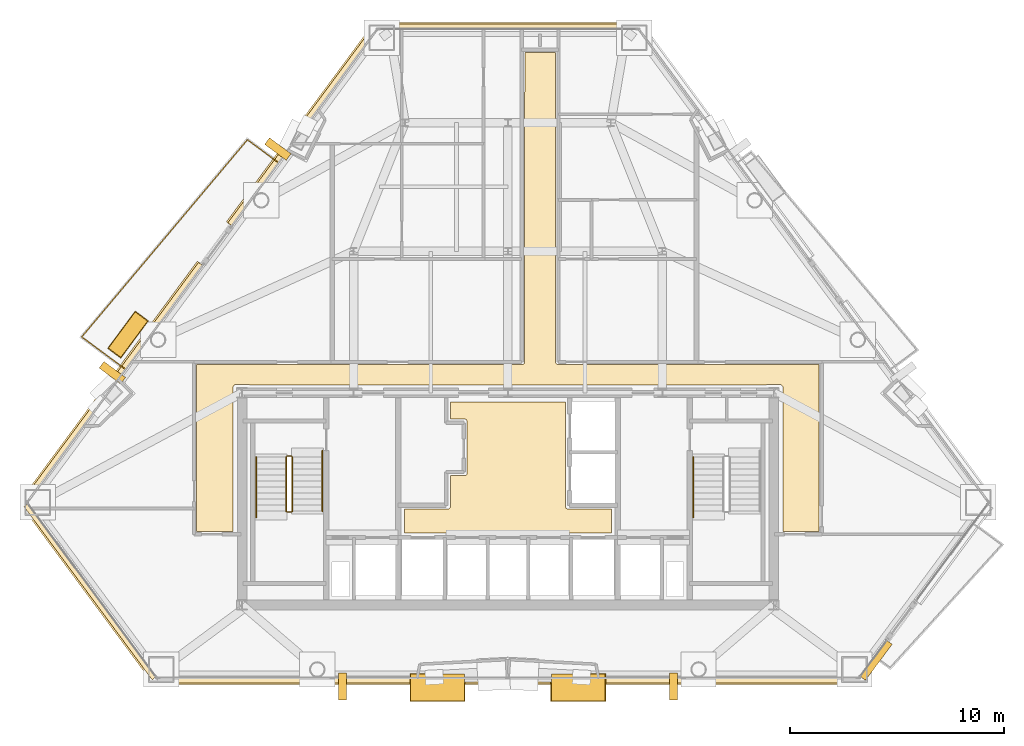
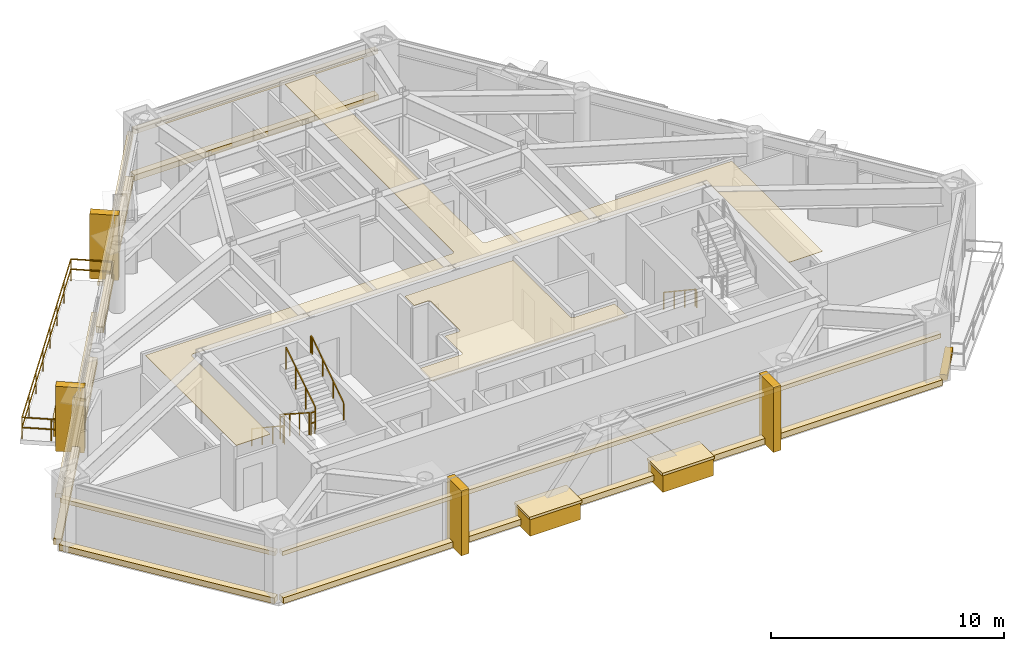
# One storey, part 10 of 11: 23 coverings, 8 railings.
"""IFC4 building model written with IfcOpenShell, lengths in metres."""

from ifc_helpers import new_model, si_unit, direction, frame, origin, origin_2d, place, context, subcontext, project, spatial, polyline, rectangle, outline, extrude, material, layer, layer_set, type_object, element, save


model = new_model("IFC4")

# Units and contexts
model_context = context("Model", 3, precision=1e-05, world=origin(), true_north=direction((0.0, 1.0)))
body_context = subcontext(model_context, "Body", "Model", "MODEL_VIEW")
ifc_project = project(units=[si_unit("LENGTHUNIT", "METRE"), si_unit("AREAUNIT", "SQUARE_METRE"), si_unit("VOLUMEUNIT", "CUBIC_METRE"), si_unit("PLANEANGLEUNIT", "RADIAN"), si_unit("MASSUNIT", "GRAM", prefix="KILO")], contexts=[model_context])

# Site, building, storey
site_placement = place(None, origin())
site = spatial("IfcSite", under=ifc_project, at=site_placement, CompositionType="ELEMENT")
building_placement = place(site_placement, origin())
building = spatial("IfcBuilding", under=site, at=building_placement, Name="Talgorran Terracotta Tower", CompositionType="ELEMENT")
storey_placement = place(building_placement, frame((0.0, 0.0, 110.39990234375)))
storey = spatial("IfcBuildingStorey", under=building, at=storey_placement, Name="L28", CompositionType="ELEMENT", Elevation=110.39990234375)

# Coverings
ifc_material_1 = material(Name="Kiln-Fired Terracotta Ochre Ceramic", Category="masonry")
ifc_layer_1 = layer(ifc_material_1, 0.179931640625, Name="COV_BAGUETTE_TERRACOTTA_SCREEN")
ifc_layer_set_1 = layer_set([ifc_layer_1], Name="Kiln-Fired Terracotta Ochre Ceramic")
covering_type_1 = type_object("IfcCoveringType", Name="COV_BAGUETTE_TERRACOTTA_SCREEN", PredefinedType="CLADDING", material=ifc_layer_set_1)
covering_1_placement = place(storey_placement, frame((-19.480712890625, -13.47119140625, 2.41015625), z_axis=(0.0, 0.0, 1.0), x_axis=(0.594906963183, -0.803794566513, 0.0)))
element("IfcCovering", 1, at=covering_1_placement, inside=storey, type_object=covering_type_1, Name="L28 Terracotta Baguette Solar Screen Assembly F0", PredefinedType="CLADDING", context=body_context, shape_type="SweptSolid", body=[
    extrude(rectangle(XDim=10.052001953125, YDim=0.260009765625, at=origin_2d()), origin(), (0.0, 0.0, 1.0), 0.219970703125),
])
covering_2_placement = place(storey_placement, frame((0.0, -17.60791015625, 2.41015625), z_axis=(0.0, 0.0, 1.0), x_axis=(1.0, 0.0, 0.0)))
element("IfcCovering", 2, at=covering_2_placement, inside=storey, type_object=covering_type_1, Name="L28 Terracotta Baguette Solar Screen Assembly F1", PredefinedType="CLADDING", context=body_context, shape_type="SweptSolid", body=[
    extrude(rectangle(XDim=32.59716796875, YDim=0.260009765625, at=origin_2d()), origin(), (0.0, 0.0, 1.0), 0.219970703125),
])
covering_3_placement = place(storey_placement, frame((0.0, 12.8623046875, 2.41015625), z_axis=(0.0, 0.0, 1.0), x_axis=(-1.0, 0.0, 0.0)))
element("IfcCovering", 3, at=covering_3_placement, inside=storey, type_object=covering_type_1, Name="L28 Terracotta Baguette Solar Screen Assembly F4", PredefinedType="CLADDING", context=body_context, shape_type="SweptSolid", body=[
    extrude(rectangle(XDim=12.043212890625, YDim=0.260009765625, at=origin_2d()), origin(), (0.0, 0.0, 1.0), 0.219970703125),
])
covering_4_placement = place(storey_placement, frame((-9.59814453125, 8.1923828125, 2.41015625), z_axis=(0.0, 0.0, 1.0), x_axis=(-0.594906963183, -0.803794566513, 0.0)))
element("IfcCovering", 4, at=covering_4_placement, inside=storey, type_object=covering_type_1, Name="L28 Terracotta Baguette Solar Screen Assembly F60", PredefinedType="CLADDING", context=body_context, shape_type="SweptSolid", body=[
    extrude(rectangle(XDim=11.298583984375, YDim=0.260009765625, at=origin_2d()), origin(), (0.0, 0.0, 1.0), 0.219970703125),
])
covering_5_placement = place(storey_placement, frame((-18.386962890625, -3.682373046875, 2.41015625), z_axis=(0.0, 0.0, 1.0), x_axis=(-0.594906963183, -0.803794566513, 0.0)))
element("IfcCovering", 5, at=covering_5_placement, inside=storey, type_object=covering_type_1, Name="L28 Terracotta Baguette Solar Screen Assembly F61", PredefinedType="CLADDING", context=body_context, shape_type="SweptSolid", body=[
    extrude(rectangle(XDim=13.6484375, YDim=0.260009765625, at=origin_2d()), origin(), (0.0, 0.0, 1.0), 0.219970703125),
])
ifc_material_2 = material(Name="Mineral Fibre Acoustic Tile")
ifc_layer_2 = layer(ifc_material_2, 0.02490234375, Name="COV_CEIL_ACOUSTIC")
ifc_layer_set_2 = layer_set([ifc_layer_2], Name="Mineral Fibre Acoustic Tile")
covering_type_2 = type_object("IfcCoveringType", Name="COV_CEIL_ACOUSTIC", PredefinedType="CEILING", material=ifc_layer_set_2)
covering_6_placement = place(storey_placement, frame((0.0, 0.0, 3.260009765625)))
element("IfcCovering", 6, at=covering_6_placement, inside=storey, type_object=covering_type_2, Name="CEIL-L28-2", PredefinedType="CEILING", context=body_context, shape_type="SweptSolid", body=[
    extrude(outline(polyline([(-12.788818359375, -3.878662109375), (-12.79296875, -3.882568359375), (-12.80078125, -3.89111328125), (-12.806396484375, -3.89794921875), (-12.813720703125, -3.907470703125), (-12.819580078125, -3.91748046875), (-12.82470703125, -3.92822265625), (-12.82861328125, -3.939453125), (-12.83154296875, -3.95068359375), (-12.833251953125, -3.96240234375), (-12.833984375, -3.974365234375), (-12.8349609375, -10.6650390625), (-14.514892578125, -10.6650390625), (-14.514892578125, -2.885009765625), (0.64990234375, -2.885009765625), (0.66162109375, -2.884521484375), (0.67333984375, -2.8828125), (0.6845703125, -2.8798828125), (0.69287109375, -2.87744140625), (0.7041015625, -2.87353515625), (0.714599609375, -2.868408203125), (0.724853515625, -2.8623046875), (0.734375, -2.85546875), (0.742919921875, -2.847412109375), (0.7509765625, -2.8388671875), (0.756591796875, -2.83203125), (0.763671875, -2.822509765625), (0.769775390625, -2.8125), (0.774658203125, -2.8017578125), (0.77880859375, -2.79052734375), (0.781494140625, -2.779296875), (0.783203125, -2.767578125), (0.783935546875, -2.755615234375), (0.784912109375, 11.6650390625), (2.215087890625, 11.6650390625), (2.215087890625, -2.75), (2.215576171875, -2.76171875), (2.21728515625, -2.773193359375), (2.22021484375, -2.78466796875), (2.22265625, -2.79296875), (2.2265625, -2.803955078125), (2.231689453125, -2.814697265625), (2.237548828125, -2.82470703125), (2.24462890625, -2.834228515625), (2.25244140625, -2.843017578125), (2.26123046875, -2.850830078125), (2.26806640625, -2.8564453125), (2.277587890625, -2.863525390625), (2.28759765625, -2.86962890625), (2.29833984375, -2.874755859375), (2.309326171875, -2.878662109375), (2.32080078125, -2.881591796875), (2.33251953125, -2.88330078125), (2.34423828125, -2.8837890625), (14.514892578125, -2.885009765625), (14.514892578125, -10.6650390625), (12.8349609375, -10.6650390625), (12.834716796875, -3.97705078125), (12.833984375, -3.96533203125), (12.83251953125, -3.953857421875), (12.82958984375, -3.9423828125), (12.82568359375, -3.931396484375), (12.820556640625, -3.920654296875), (12.81640625, -3.9130859375), (12.810302734375, -3.90283203125), (12.803466796875, -3.893310546875), (12.79541015625, -3.884521484375), (12.78857421875, -3.87841796875), (12.785888671875, -3.872314453125), (12.77978515625, -3.8623046875), (12.772705078125, -3.852783203125), (12.764892578125, -3.843994140625), (12.756103515625, -3.836181640625), (12.74658203125, -3.8291015625), (12.736572265625, -3.8232421875), (12.725830078125, -3.818115234375), (12.71484375, -3.814208984375), (12.703369140625, -3.811279296875), (12.69189453125, -3.8095703125), (12.679931640625, -3.80908203125), (12.1201171875, -3.80908203125), (12.108154296875, -3.8095703125), (12.0966796875, -3.811279296875), (12.085205078125, -3.814208984375), (12.07421875, -3.818115234375), (12.0634765625, -3.8232421875), (12.05322265625, -3.8291015625), (12.0439453125, -3.836181640625), (12.03515625, -3.843994140625), (12.034423828125, -3.844970703125), (7.432861328125, -3.844970703125), (6.968017578125, -3.843017578125), (6.967529296875, -3.843017578125), (0.232666015625, -3.844970703125), (-0.23193359375, -3.843017578125), (-0.232421875, -3.843017578125), (-6.96728515625, -3.844970703125), (-7.431884765625, -3.843017578125), (-7.4326171875, -3.843017578125), (-12.034423828125, -3.844970703125), (-12.03515625, -3.843994140625), (-12.0439453125, -3.836181640625), (-12.05322265625, -3.8291015625), (-12.0634765625, -3.8232421875), (-12.07421875, -3.818115234375), (-12.085205078125, -3.814208984375), (-12.0966796875, -3.811279296875), (-12.108154296875, -3.8095703125), (-12.1201171875, -3.80908203125), (-12.679931640625, -3.80908203125), (-12.69189453125, -3.8095703125), (-12.703369140625, -3.811279296875), (-12.71484375, -3.814208984375), (-12.725830078125, -3.818115234375), (-12.736572265625, -3.8232421875), (-12.74658203125, -3.8291015625), (-12.756103515625, -3.836181640625), (-12.764892578125, -3.843994140625), (-12.772705078125, -3.852783203125), (-12.77978515625, -3.8623046875), (-12.785888671875, -3.872314453125), (-12.788818359375, -3.878662109375)])), origin(), (0.0, 0.0, 1.0), 0.02001953125),
])
ifc_material_3 = material(Name="Flush Moisture-Resistant Plaster")
ifc_layer_3 = layer(ifc_material_3, 0.01806640625, Name="COV_CEIL_PLASTER")
ifc_layer_set_3 = layer_set([ifc_layer_3], Name="Flush Moisture-Resistant Plaster")
covering_type_3 = type_object("IfcCoveringType", Name="COV_CEIL_PLASTER", PredefinedType="CEILING", material=ifc_layer_set_3)
covering_7_placement = place(storey_placement, frame((0.0, 0.0, 3.260009765625)))
element("IfcCovering", 7, at=covering_7_placement, inside=storey, type_object=covering_type_3, Name="CEIL-L28-1", PredefinedType="CEILING", context=body_context, shape_type="SweptSolid", body=[
    extrude(outline(polyline([(2.679931640625, -4.6201171875), (2.679931640625, -9.5), (2.6806640625, -9.51171875), (2.682373046875, -9.5234375), (2.685302734375, -9.534912109375), (2.689208984375, -9.5458984375), (2.694091796875, -9.556640625), (2.7001953125, -9.566650390625), (2.707275390625, -9.576171875), (2.715087890625, -9.5849609375), (2.723876953125, -9.5927734375), (2.7333984375, -9.599853515625), (2.743408203125, -9.605712890625), (2.754150390625, -9.61083984375), (2.76513671875, -9.61474609375), (2.776611328125, -9.61767578125), (2.7880859375, -9.619384765625), (2.800048828125, -9.6201171875), (4.830078125, -9.6201171875), (4.830078125, -10.72998046875), (-4.830078125, -10.72998046875), (-4.830078125, -9.6201171875), (-2.800048828125, -9.6201171875), (-2.7880859375, -9.619384765625), (-2.776611328125, -9.61767578125), (-2.76513671875, -9.61474609375), (-2.754150390625, -9.61083984375), (-2.743408203125, -9.605712890625), (-2.7333984375, -9.599853515625), (-2.723876953125, -9.5927734375), (-2.715087890625, -9.5849609375), (-2.707275390625, -9.576171875), (-2.7001953125, -9.566650390625), (-2.694091796875, -9.556640625), (-2.689208984375, -9.5458984375), (-2.685302734375, -9.534912109375), (-2.682373046875, -9.5234375), (-2.6806640625, -9.51171875), (-2.679931640625, -9.5), (-2.679931640625, -8.070068359375), (-2.02001953125, -8.070068359375), (-2.00830078125, -8.0693359375), (-1.99658203125, -8.067626953125), (-1.985107421875, -8.064697265625), (-1.97412109375, -8.060791015625), (-1.96337890625, -8.055908203125), (-1.953369140625, -8.0498046875), (-1.94384765625, -8.042724609375), (-1.93505859375, -8.034912109375), (-1.92724609375, -8.026123046875), (-1.920166015625, -8.0166015625), (-1.914306640625, -8.006591796875), (-1.9091796875, -7.995849609375), (-1.9052734375, -7.98486328125), (-1.90234375, -7.973388671875), (-1.900634765625, -7.9619140625), (-1.89990234375, -7.949951171875), (-1.89990234375, -5.550048828125), (-1.900634765625, -5.5380859375), (-1.90234375, -5.526611328125), (-1.9052734375, -5.51513671875), (-1.9091796875, -5.504150390625), (-1.914306640625, -5.493408203125), (-1.920166015625, -5.4833984375), (-1.92724609375, -5.473876953125), (-1.93505859375, -5.465087890625), (-1.94384765625, -5.457275390625), (-1.953369140625, -5.4501953125), (-1.96337890625, -5.444091796875), (-1.97412109375, -5.439208984375), (-1.985107421875, -5.435302734375), (-1.99658203125, -5.432373046875), (-2.00830078125, -5.4306640625), (-2.02001953125, -5.429931640625), (-2.679931640625, -5.429931640625), (-2.679931640625, -4.6201171875), (2.679931640625, -4.6201171875)])), origin(), (0.0, 0.0, 1.0), 0.02001953125),
])
ifc_material_4 = material(Name="Honed Limestone and Terracotta Planter", Category="masonry")
ifc_layer_4 = layer(ifc_material_4, 0.1201171875, Name="COV_PLANTER_BOX")
ifc_layer_set_4 = layer_set([ifc_layer_4], Name="Honed Limestone and Terracotta Planter")
covering_type_4 = type_object("IfcCoveringType", Name="COV_PLANTER_BOX", PredefinedType="CLADDING", material=ifc_layer_set_4)
for number, where, z_axis, x_axis, name in (
    (8, (-3.285888671875, -17.94775390625, -0.179931640625), (0.0, 0.0, 1.0), (1.0, 0.0, 0.0), "L28 Staggered South Facade Planter Box 1"),
    (9, (3.285888671875, -17.94775390625, -0.179931640625), (0.0, 0.0, 1.0), (1.0, 0.0, 0.0), "L28 Staggered South Facade Planter Box 2"),
):
    element("IfcCovering", number, at=place(storey_placement, frame(where, z_axis=z_axis, x_axis=x_axis)), inside=storey, type_object=covering_type_4, Name=name, PredefinedType="CLADDING", context=body_context, shape_type="SweptSolid", body=[
        extrude(rectangle(XDim=2.5, YDim=1.25, at=origin_2d()), origin(), (0.0, 0.0, 1.0), 0.919921875),
    ])
covering_8_placement = place(storey_placement, frame((-17.72119140625, -1.488525390625, -0.02001953125), z_axis=(0.0, 0.0, 1.0), x_axis=(-0.594906963183, -0.803794566513, 0.0)))
element("IfcCovering", 10, at=covering_8_placement, inside=storey, type_object=covering_type_4, Name="L28 Staggered Balcony Planter Box BAL-NW", PredefinedType="CLADDING", context=body_context, shape_type="SweptSolid", body=[
    extrude(rectangle(XDim=2.10009765625, YDim=0.719970703125, at=origin_2d()), origin(), (0.0, 0.0, 1.0), 0.860107421875),
])
ifc_material_5 = material(Name="Kiln-Fired Terracotta Planter Rim", Category="masonry")
ifc_layer_5 = layer(ifc_material_5, 0.10009765625, Name="COV_PLANTER_RIM")
ifc_layer_set_5 = layer_set([ifc_layer_5], Name="Kiln-Fired Terracotta Planter Rim")
covering_type_5 = type_object("IfcCoveringType", Name="COV_PLANTER_RIM", PredefinedType="CLADDING", material=ifc_layer_set_5)
for number, where, z_axis, x_axis, name in (
    (11, (-3.285888671875, -17.94775390625, 0.7099609375), (0.0, 0.0, 1.0), (1.0, 0.0, 0.0), "L28 South Planter Terracotta Rim 1"),
    (12, (3.285888671875, -17.94775390625, 0.7099609375), (0.0, 0.0, 1.0), (1.0, 0.0, 0.0), "L28 South Planter Terracotta Rim 2"),
):
    element("IfcCovering", number, at=place(storey_placement, frame(where, z_axis=z_axis, x_axis=x_axis)), inside=storey, type_object=covering_type_5, Name=name, PredefinedType="CLADDING", context=body_context, shape_type="SweptSolid", body=[
        extrude(rectangle(XDim=2.580078125, YDim=1.320068359375, at=origin_2d()), origin(), (0.0, 0.0, 1.0), 0.139892578125),
    ])
covering_9_placement = place(storey_placement, frame((-17.72119140625, -1.488525390625, 0.800048828125), z_axis=(0.0, 0.0, 1.0), x_axis=(-0.594906963183, -0.803794566513, 0.0)))
element("IfcCovering", 13, at=covering_9_placement, inside=storey, type_object=covering_type_5, Name="L28 Balcony Planter Terracotta Rim BAL-NW", PredefinedType="CLADDING", context=body_context, shape_type="SweptSolid", body=[
    extrude(rectangle(XDim=2.179931640625, YDim=0.780029296875, at=origin_2d()), origin(), (0.0, 0.0, 1.0), 0.1201171875),
])
ifc_material_6 = material(Name="Honed Limestone Cladding", Category="masonry")
ifc_layer_6 = layer(ifc_material_6, 0.094970703125, Name="COV_PORTAL_LIME")
ifc_layer_set_6 = layer_set([ifc_layer_6], Name="Honed Limestone Cladding")
covering_type_6 = type_object("IfcCoveringType", Name="COV_PORTAL_LIME", PredefinedType="CLADDING", material=ifc_layer_set_6)
covering_10_placement = place(storey_placement, frame((-19.5126953125, -13.4951171875, -0.0400390625), z_axis=(0.0, 0.0, 1.0), x_axis=(0.594906963183, -0.803794566513, 0.0)))
element("IfcCovering", 14, at=covering_10_placement, inside=storey, type_object=covering_type_6, Name="L28 Striped Postmodern Portal Cladding Band F0", PredefinedType="CLADDING", context=body_context, shape_type="SweptSolid", body=[
    extrude(rectangle(XDim=10.072021484375, YDim=0.340087890625, at=origin_2d()), origin(), (0.0, 0.0, 1.0), 0.300048828125),
])
covering_11_placement = place(storey_placement, frame((0.0, -17.647705078125, -0.0400390625), z_axis=(0.0, 0.0, 1.0), x_axis=(1.0, 0.0, 0.0)))
element("IfcCovering", 15, at=covering_11_placement, inside=storey, type_object=covering_type_6, Name="L28 Striped Postmodern Portal Cladding Band F1", PredefinedType="CLADDING", context=body_context, shape_type="SweptSolid", body=[
    extrude(rectangle(XDim=32.6171875, YDim=0.340087890625, at=origin_2d()), origin(), (0.0, 0.0, 1.0), 0.300048828125),
])
covering_12_placement = place(storey_placement, frame((17.162353515625, -16.670654296875, -0.0400390625), z_axis=(0.0, 0.0, 1.0), x_axis=(0.594906963183, 0.803794566513, 0.0)))
element("IfcCovering", 16, at=covering_12_placement, inside=storey, type_object=covering_type_6, Name="L28 Striped Postmodern Portal Cladding Band F30", PredefinedType="CLADDING", context=body_context, shape_type="SweptSolid", body=[
    extrude(rectangle(XDim=2.08984375, YDim=0.340087890625, at=origin_2d()), origin(), (0.0, 0.0, 1.0), 0.300048828125),
])
covering_13_placement = place(storey_placement, frame((0.0, 12.902099609375, -0.0400390625), z_axis=(0.0, 0.0, 1.0), x_axis=(-1.0, 0.0, 0.0)))
element("IfcCovering", 17, at=covering_13_placement, inside=storey, type_object=covering_type_6, Name="L28 Striped Postmodern Portal Cladding Band F4", PredefinedType="CLADDING", context=body_context, shape_type="SweptSolid", body=[
    extrude(rectangle(XDim=12.063232421875, YDim=0.340087890625, at=origin_2d()), origin(), (0.0, 0.0, 1.0), 0.300048828125),
])
covering_14_placement = place(storey_placement, frame((-9.63037109375, 8.21630859375, -0.0400390625), z_axis=(0.0, 0.0, 1.0), x_axis=(-0.594906963183, -0.803794566513, 0.0)))
element("IfcCovering", 18, at=covering_14_placement, inside=storey, type_object=covering_type_6, Name="L28 Striped Postmodern Portal Cladding Band F60", PredefinedType="CLADDING", context=body_context, shape_type="SweptSolid", body=[
    extrude(rectangle(XDim=11.318603515625, YDim=0.340087890625, at=origin_2d()), origin(), (0.0, 0.0, 1.0), 0.300048828125),
])
covering_15_placement = place(storey_placement, frame((-18.419189453125, -3.65869140625, -0.0400390625), z_axis=(0.0, 0.0, 1.0), x_axis=(-0.594906963183, -0.803794566513, 0.0)))
element("IfcCovering", 19, at=covering_15_placement, inside=storey, type_object=covering_type_6, Name="L28 Striped Postmodern Portal Cladding Band F61", PredefinedType="CLADDING", context=body_context, shape_type="SweptSolid", body=[
    extrude(rectangle(XDim=13.66845703125, YDim=0.340087890625, at=origin_2d()), origin(), (0.0, 0.0, 1.0), 0.300048828125),
])
for number, where, z_axis, x_axis, name in (
    (20, (7.7216796875, -17.90771484375, -0.0498046875), (0.0, 0.0, 1.0), (1.0, 0.0, 0.0), "L28 White Striped Portal Fin F1-2"),
    (21, (-18.45263671875, -3.2666015625, -0.0498046875), (0.0, 0.0, 1.0), (-0.594906963183, -0.803794566513, 0.0), "L28 White Striped Portal Fin F5-2"),
):
    element("IfcCovering", number, at=place(storey_placement, frame(where, z_axis=z_axis, x_axis=x_axis)), inside=storey, type_object=covering_type_6, Name=name, PredefinedType="CLADDING", context=body_context, shape_type="SweptSolid", body=[
        extrude(rectangle(XDim=0.3798828125, YDim=1.25, at=origin_2d()), origin(), (0.0, 0.0, 1.0), 3.39990234375),
    ])
ifc_material_7 = material(Name="Kiln-Fired Terracotta Cladding", Category="masonry")
ifc_layer_7 = layer(ifc_material_7, 0.090087890625, Name="COV_PORTAL_TERRA")
ifc_layer_set_7 = layer_set([ifc_layer_7], Name="Kiln-Fired Terracotta Cladding")
covering_type_7 = type_object("IfcCoveringType", Name="COV_PORTAL_TERRA", PredefinedType="CLADDING", material=ifc_layer_set_7)
for number, where, z_axis, x_axis, name in (
    (22, (-7.7216796875, -17.90771484375, -0.0498046875), (0.0, 0.0, 1.0), (1.0, 0.0, 0.0), "L28 Terracotta Striped Portal Fin F1-1"),
    (23, (-10.73095703125, 7.16650390625, -0.0498046875), (0.0, 0.0, 1.0), (-0.594906963183, -0.803794566513, 0.0), "L28 Terracotta Striped Portal Fin F5-1"),
):
    element("IfcCovering", number, at=place(storey_placement, frame(where, z_axis=z_axis, x_axis=x_axis)), inside=storey, type_object=covering_type_7, Name=name, PredefinedType="CLADDING", context=body_context, shape_type="SweptSolid", body=[
        extrude(rectangle(XDim=0.3798828125, YDim=1.25, at=origin_2d()), origin(), (0.0, 0.0, 1.0), 3.39990234375),
    ])

# Railings
ifc_material_8 = material(Name="Laminated Glass and Stainless Steel 316", Category="steel")
railing_type_1 = type_object("IfcRailingType", Name="RL_BALCONY_1150", PredefinedType="BALUSTRADE", material=ifc_material_8)
railing_1_placement = place(storey_placement, frame((-10.719482421875, 6.54296875, 0.0)))
element("IfcRailing", 24, at=railing_1_placement, inside=storey, type_object=railing_type_1, Name="RL-L28-BAL-BAL-NW", PredefinedType="BALUSTRADE", context=body_context, shape_type="SweptSolid", body=[
    extrude(rectangle(XDim=0.048095703125, YDim=0.048095703125, at=origin_2d()), frame((0.0, 0.0, 1.1259765625), z_axis=(-0.803816987342, 0.594876668613, 0.0), x_axis=(-0.594876668613, -0.803816987342, 0.0)), (0.0, 0.0, 1.0), 1.78076171875),
    extrude(rectangle(XDim=0.048095703125, YDim=0.048095703125, at=origin_2d()), frame((0.0, 0.0, 0.597900390625), z_axis=(-0.803816987342, 0.594876668613, 0.0), x_axis=(-0.594876668613, -0.803816987342, 0.0)), (0.0, 0.0, 1.0), 1.78076171875),
    extrude(rectangle(XDim=0.048095703125, YDim=0.048095703125, at=origin_2d()), frame((-1.431396484375, 1.059326171875, 1.1259765625), z_axis=(-0.643321231976, -0.765596363947, 0.0), x_axis=(0.765596363947, -0.643321231976, 0.0)), (0.0, 0.0, 1.0), 12.013916015625),
    extrude(rectangle(XDim=0.048095703125, YDim=0.048095703125, at=origin_2d()), frame((-1.431396484375, 1.059326171875, 0.597900390625), z_axis=(-0.643321231976, -0.765596363947, 0.0), x_axis=(0.765596363947, -0.643321231976, 0.0)), (0.0, 0.0, 1.0), 12.013916015625),
    extrude(rectangle(XDim=0.048095703125, YDim=0.048095703125, at=origin_2d()), frame((-9.16015625, -8.138427734375, 1.1259765625), z_axis=(0.803783557242, -0.594921837814, 0.0), x_axis=(0.594921837814, 0.803783557242, 0.0)), (0.0, 0.0, 1.0), 2.521240234375),
    extrude(rectangle(XDim=0.048095703125, YDim=0.048095703125, at=origin_2d()), frame((-9.16015625, -8.138427734375, 0.597900390625), z_axis=(0.803783557242, -0.594921837814, 0.0), x_axis=(0.594921837814, 0.803783557242, 0.0)), (0.0, 0.0, 1.0), 2.521240234375),
    extrude(rectangle(XDim=0.0419921875, YDim=0.0419921875, at=origin_2d()), origin(), (0.0, 0.0, 1.0), 1.101806640625),
    extrude(rectangle(XDim=0.0419921875, YDim=0.0419921875, at=origin_2d()), frame((-1.431396484375, 1.059326171875, 0.0)), (0.0, 0.0, 1.0), 1.101806640625),
    extrude(rectangle(XDim=0.0419921875, YDim=0.0419921875, at=origin_2d()), frame((-2.535400390625, -0.254638671875, 0.0)), (0.0, 0.0, 1.0), 1.101806640625),
    extrude(rectangle(XDim=0.0419921875, YDim=0.0419921875, at=origin_2d()), frame((-3.6396484375, -1.568603515625, 0.0)), (0.0, 0.0, 1.0), 1.101806640625),
    extrude(rectangle(XDim=0.0419921875, YDim=0.0419921875, at=origin_2d()), frame((-4.74365234375, -2.882568359375, 0.0)), (0.0, 0.0, 1.0), 1.101806640625),
    extrude(rectangle(XDim=0.0419921875, YDim=0.0419921875, at=origin_2d()), frame((-5.847900390625, -4.196533203125, 0.0)), (0.0, 0.0, 1.0), 1.101806640625),
    extrude(rectangle(XDim=0.0419921875, YDim=0.0419921875, at=origin_2d()), frame((-6.951904296875, -5.510498046875, 0.0)), (0.0, 0.0, 1.0), 1.101806640625),
    extrude(rectangle(XDim=0.0419921875, YDim=0.0419921875, at=origin_2d()), frame((-8.05615234375, -6.824462890625, 0.0)), (0.0, 0.0, 1.0), 1.101806640625),
    extrude(rectangle(XDim=0.0419921875, YDim=0.0419921875, at=origin_2d()), frame((-9.16015625, -8.138427734375, 0.0)), (0.0, 0.0, 1.0), 1.101806640625),
    extrude(rectangle(XDim=0.0419921875, YDim=0.0419921875, at=origin_2d()), frame((-8.14697265625, -8.888427734375, 0.0)), (0.0, 0.0, 1.0), 1.101806640625),
    extrude(rectangle(XDim=0.0419921875, YDim=0.0419921875, at=origin_2d()), frame((-7.133544921875, -9.638427734375, 0.0)), (0.0, 0.0, 1.0), 1.101806640625),
])
ifc_material_9 = material(Name="Steel S355 (300PLUS)", Category="steel")
railing_type_2 = type_object("IfcRailingType", Name="RL_HANDRAIL_920", PredefinedType="HANDRAIL", material=ifc_material_9)
railing_2_placement = place(storey_placement, frame((-11.75, -7.199951171875, 0.18017578125)))
element("IfcRailing", 25, at=railing_2_placement, inside=storey, type_object=railing_type_2, Name="L28 ST-01 stair handrail 1", PredefinedType="HANDRAIL", context=body_context, shape_type="SweptSolid", body=[
    extrude(rectangle(XDim=0.048095703125, YDim=0.048095703125, at=origin_2d()), frame((0.0, 0.0, 0.89599609375), z_axis=(0.0, -0.832073444223, 0.554665469827), x_axis=(1.0, 0.0, 0.0)), (0.0, 0.0, 1.0), 3.244873046875),
    extrude(rectangle(XDim=0.048095703125, YDim=0.048095703125, at=origin_2d()), frame((0.0, -2.699951171875, 2.69580078125), z_axis=(0.0, -1.0, 0.0), x_axis=(1.0, 0.0, 0.0)), (0.0, 0.0, 1.0), 0.1201171875),
    extrude(rectangle(XDim=0.0419921875, YDim=0.0419921875, at=origin_2d()), origin(), (0.0, 0.0, 1.0), 0.871826171875),
    extrude(rectangle(XDim=0.0419921875, YDim=0.0419921875, at=origin_2d()), frame((0.0, -0.89990234375, 0.599853515625)), (0.0, 0.0, 1.0), 0.871826171875),
    extrude(rectangle(XDim=0.0419921875, YDim=0.0419921875, at=origin_2d()), frame((0.0, -1.800048828125, 1.199951171875)), (0.0, 0.0, 1.0), 0.871826171875),
    extrude(rectangle(XDim=0.0419921875, YDim=0.0419921875, at=origin_2d()), frame((0.0, -2.699951171875, 1.7998046875)), (0.0, 0.0, 1.0), 0.871826171875),
    extrude(rectangle(XDim=0.0419921875, YDim=0.0419921875, at=origin_2d()), frame((0.0, -2.820068359375, 1.7998046875)), (0.0, 0.0, 1.0), 0.871826171875),
])
railing_3_placement = place(storey_placement, frame((-8.64990234375, -9.719970703125, 1.97998046875)))
element("IfcRailing", 26, at=railing_3_placement, inside=storey, type_object=railing_type_2, Name="L28 ST-01 stair handrail 2", PredefinedType="HANDRAIL", context=body_context, shape_type="SweptSolid", body=[
    extrude(rectangle(XDim=0.048095703125, YDim=0.048095703125, at=origin_2d()), frame((0.0, 0.0, 0.89599609375), z_axis=(0.0, 0.832038719335, 0.554717558338), x_axis=(-1.0, 0.0, 0.0)), (0.0, 0.0, 1.0), 3.244873046875),
    extrude(rectangle(XDim=0.048095703125, YDim=0.048095703125, at=origin_2d()), frame((0.0, 2.699951171875, 2.69580078125), z_axis=(0.0, 1.0, 0.0), x_axis=(-1.0, 0.0, 0.0)), (0.0, 0.0, 1.0), 0.1201171875),
    extrude(rectangle(XDim=0.0419921875, YDim=0.0419921875, at=origin_2d()), origin(), (0.0, 0.0, 1.0), 0.871826171875),
    extrude(rectangle(XDim=0.0419921875, YDim=0.0419921875, at=origin_2d()), frame((0.0, 0.89990234375, 0.60009765625)), (0.0, 0.0, 1.0), 0.871826171875),
    extrude(rectangle(XDim=0.0419921875, YDim=0.0419921875, at=origin_2d()), frame((0.0, 1.800048828125, 1.199951171875)), (0.0, 0.0, 1.0), 0.871826171875),
    extrude(rectangle(XDim=0.0419921875, YDim=0.0419921875, at=origin_2d()), frame((0.0, 2.699951171875, 1.800048828125)), (0.0, 0.0, 1.0), 0.871826171875),
    extrude(rectangle(XDim=0.0419921875, YDim=0.0419921875, at=origin_2d()), frame((0.0, 2.820068359375, 1.800048828125)), (0.0, 0.0, 1.0), 0.871826171875),
])
railing_4_placement = place(storey_placement, frame((8.64990234375, -7.199951171875, 0.18017578125)))
element("IfcRailing", 27, at=railing_4_placement, inside=storey, type_object=railing_type_2, Name="L28 ST-02 stair handrail 1", PredefinedType="HANDRAIL", context=body_context, shape_type="SweptSolid", body=[
    extrude(rectangle(XDim=0.048095703125, YDim=0.048095703125, at=origin_2d()), frame((0.0, 0.0, 0.89599609375), z_axis=(0.0, -0.832073444223, 0.554665469827), x_axis=(1.0, 0.0, 0.0)), (0.0, 0.0, 1.0), 3.244873046875),
    extrude(rectangle(XDim=0.048095703125, YDim=0.048095703125, at=origin_2d()), frame((0.0, -2.699951171875, 2.69580078125), z_axis=(0.0, -1.0, 0.0), x_axis=(1.0, 0.0, 0.0)), (0.0, 0.0, 1.0), 0.1201171875),
    extrude(rectangle(XDim=0.0419921875, YDim=0.0419921875, at=origin_2d()), origin(), (0.0, 0.0, 1.0), 0.871826171875),
    extrude(rectangle(XDim=0.0419921875, YDim=0.0419921875, at=origin_2d()), frame((0.0, -0.89990234375, 0.599853515625)), (0.0, 0.0, 1.0), 0.871826171875),
    extrude(rectangle(XDim=0.0419921875, YDim=0.0419921875, at=origin_2d()), frame((0.0, -1.800048828125, 1.199951171875)), (0.0, 0.0, 1.0), 0.871826171875),
    extrude(rectangle(XDim=0.0419921875, YDim=0.0419921875, at=origin_2d()), frame((0.0, -2.699951171875, 1.7998046875)), (0.0, 0.0, 1.0), 0.871826171875),
    extrude(rectangle(XDim=0.0419921875, YDim=0.0419921875, at=origin_2d()), frame((0.0, -2.820068359375, 1.7998046875)), (0.0, 0.0, 1.0), 0.871826171875),
])
railing_type_3 = type_object("IfcRailingType", Name="RL_STAIR_GUARD", PredefinedType="GUARDRAIL", material=ifc_material_9)
railing_5_placement = place(storey_placement, frame((-10.35009765625, -7.199951171875, 0.18017578125)))
element("IfcRailing", 28, at=railing_5_placement, inside=storey, type_object=railing_type_3, Name="L28 ST-01 stair guard 1", PredefinedType="GUARDRAIL", context=body_context, shape_type="SweptSolid", body=[
    extrude(rectangle(XDim=0.048095703125, YDim=0.048095703125, at=origin_2d()), frame((0.0, 0.0, 1.15576171875), z_axis=(0.0, -0.841199657755, 0.540724639528), x_axis=(1.0, 0.0, 0.0)), (0.0, 0.0, 1.0), 2.995849609375),
    extrude(rectangle(XDim=0.0419921875, YDim=0.0419921875, at=origin_2d()), origin(), (0.0, 0.0, 1.0), 1.1318359375),
    extrude(rectangle(XDim=0.0419921875, YDim=0.0419921875, at=origin_2d()), frame((0.0, -0.840087890625, 0.5400390625)), (0.0, 0.0, 1.0), 1.1318359375),
    extrude(rectangle(XDim=0.0419921875, YDim=0.0419921875, at=origin_2d()), frame((0.0, -1.679931640625, 1.079833984375)), (0.0, 0.0, 1.0), 1.1318359375),
    extrude(rectangle(XDim=0.0419921875, YDim=0.0419921875, at=origin_2d()), frame((0.0, -2.52001953125, 1.619873046875)), (0.0, 0.0, 1.0), 1.1318359375),
])
railing_6_placement = place(storey_placement, frame((-10.300048828125, -9.77001953125, 1.800048828125)))
element("IfcRailing", 29, at=railing_6_placement, inside=storey, type_object=railing_type_3, Name="L28 ST-01 stair guard 2", PredefinedType="GUARDRAIL", context=body_context, shape_type="SweptSolid", body=[
    extrude(rectangle(XDim=0.048095703125, YDim=0.048095703125, at=origin_2d()), frame((0.0, 0.0, 1.15576171875), z_axis=(1.0, 0.0, 0.0), x_axis=(0.0, 1.0, 0.0)), (0.0, 0.0, 1.0), 0.199951171875),
    extrude(rectangle(XDim=0.048095703125, YDim=0.048095703125, at=origin_2d()), frame((0.0, 0.0, 0.613525390625), z_axis=(1.0, 0.0, 0.0), x_axis=(0.0, 1.0, 0.0)), (0.0, 0.0, 1.0), 0.199951171875),
    extrude(rectangle(XDim=0.0419921875, YDim=0.0419921875, at=origin_2d()), origin(), (0.0, 0.0, 1.0), 1.1318359375),
    extrude(rectangle(XDim=0.0419921875, YDim=0.0419921875, at=origin_2d()), frame((0.199951171875, 0.0, 0.0)), (0.0, 0.0, 1.0), 1.1318359375),
])
railing_7_placement = place(storey_placement, frame((-10.050048828125, -9.719970703125, 1.97998046875)))
element("IfcRailing", 30, at=railing_7_placement, inside=storey, type_object=railing_type_3, Name="L28 ST-01 stair guard 3", PredefinedType="GUARDRAIL", context=body_context, shape_type="SweptSolid", body=[
    extrude(rectangle(XDim=0.048095703125, YDim=0.048095703125, at=origin_2d()), frame((0.0, 0.0, 1.15576171875), z_axis=(0.0, 0.841162588446, 0.540782303519), x_axis=(-1.0, 0.0, 0.0)), (0.0, 0.0, 1.0), 2.995849609375),
    extrude(rectangle(XDim=0.0419921875, YDim=0.0419921875, at=origin_2d()), origin(), (0.0, 0.0, 1.0), 1.1318359375),
    extrude(rectangle(XDim=0.0419921875, YDim=0.0419921875, at=origin_2d()), frame((0.0, 0.840087890625, 0.5400390625)), (0.0, 0.0, 1.0), 1.1318359375),
    extrude(rectangle(XDim=0.0419921875, YDim=0.0419921875, at=origin_2d()), frame((0.0, 1.679931640625, 1.080078125)), (0.0, 0.0, 1.0), 1.1318359375),
    extrude(rectangle(XDim=0.0419921875, YDim=0.0419921875, at=origin_2d()), frame((0.0, 2.52001953125, 1.6201171875)), (0.0, 0.0, 1.0), 1.1318359375),
])
railing_8_placement = place(storey_placement, frame((-10.300048828125, -7.14990234375, 0.0)))
element("IfcRailing", 31, at=railing_8_placement, inside=storey, type_object=railing_type_3, Name="L28 ST-01 stair guard 4", PredefinedType="GUARDRAIL", context=body_context, shape_type="SweptSolid", body=[
    extrude(rectangle(XDim=0.048095703125, YDim=0.048095703125, at=origin_2d()), frame((0.0, 0.0, 1.15576171875), z_axis=(1.0, 0.0, 0.0), x_axis=(0.0, 1.0, 0.0)), (0.0, 0.0, 1.0), 0.199951171875),
    extrude(rectangle(XDim=0.048095703125, YDim=0.048095703125, at=origin_2d()), frame((0.0, 0.0, 0.613525390625), z_axis=(1.0, 0.0, 0.0), x_axis=(0.0, 1.0, 0.0)), (0.0, 0.0, 1.0), 0.199951171875),
    extrude(rectangle(XDim=0.0419921875, YDim=0.0419921875, at=origin_2d()), origin(), (0.0, 0.0, 1.0), 1.1318359375),
    extrude(rectangle(XDim=0.0419921875, YDim=0.0419921875, at=origin_2d()), frame((0.199951171875, 0.0, 0.0)), (0.0, 0.0, 1.0), 1.1318359375),
])

save(model, "model.ifc")
